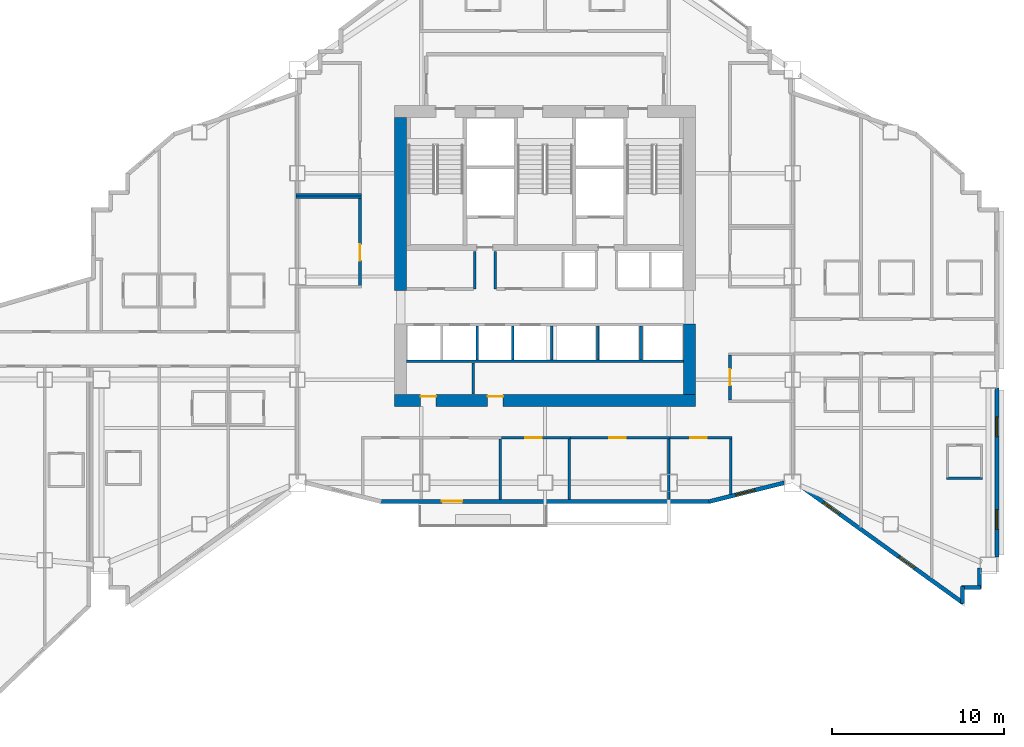
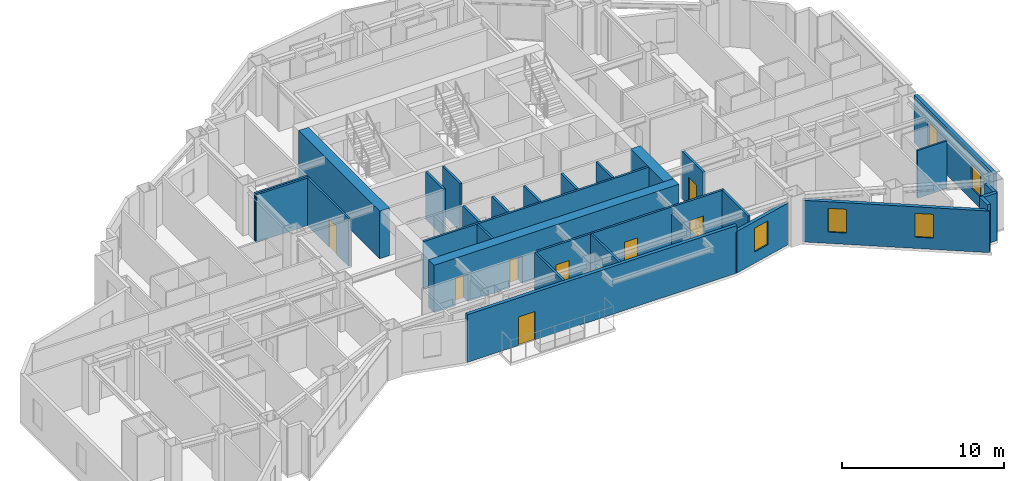
# One storey, part 8 of 16: 31 walls, 8 doors, 5 windows, 13 openings.
"""IFC4 building model written with IfcOpenShell, lengths in metres."""

from ifc_helpers import new_model, si_unit, direction, frame, frame_2d, origin, place, context, subcontext, project, spatial, rectangle, extrude, material, layer, layer_set, type_object, element, fill, save


model = new_model("IFC4")

# Units and contexts
model_context = context("Model", 3, precision=1e-05, world=origin(), true_north=direction((0.0, 1.0)))
body_context = subcontext(model_context, "Body", "Model", "MODEL_VIEW")
ifc_project = project(units=[si_unit("LENGTHUNIT", "METRE"), si_unit("AREAUNIT", "SQUARE_METRE"), si_unit("VOLUMEUNIT", "CUBIC_METRE"), si_unit("PLANEANGLEUNIT", "RADIAN"), si_unit("MASSUNIT", "GRAM", prefix="KILO")], contexts=[model_context])

# Site, building, storey
site_placement = place(None, origin())
site = spatial("IfcSite", under=ifc_project, at=site_placement, CompositionType="ELEMENT")
building_placement = place(site_placement, origin())
building = spatial("IfcBuilding", under=site, at=building_placement, Name="Haolan Belvedere Tower", CompositionType="ELEMENT")
storey_placement = place(building_placement, frame((0.0, 0.0, 125.0)))
storey = spatial("IfcBuildingStorey", under=building, at=storey_placement, Name="L31", CompositionType="ELEMENT", Elevation=125.0)

# Wall, openings, doors
ifc_material_1 = material(Name="Concrete C60/75", Category="concrete")
ifc_layer_1 = layer(ifc_material_1, 0.699951171875, Name="Concrete C60/75")
ifc_layer_set_1 = layer_set([ifc_layer_1], Name="Concrete C60/75")
wall_type_1 = type_object("IfcWallType", Name="WL-CORE-700", PredefinedType="SHEAR", material=ifc_layer_set_1)
wall_1_placement = place(storey_placement, frame((29.64990234375, 26.39990234375, 0.0), z_axis=(0.0, 0.0, 1.0), x_axis=(1.0, 0.0, 0.0)))
wall_1 = element("IfcWall", 1, at=wall_1_placement, inside=storey, type_object=wall_type_1, Name="L31 central core south shear wall", PredefinedType="SHEAR", context=body_context, shape_type="SweptSolid", body=[
    extrude(rectangle(XDim=17.5, YDim=0.699951171875, at=frame_2d((8.75, 0.0))), origin(), (0.0, 0.0, 1.0), 3.60009765625),
])
opening_1_placement = place(wall_1_placement, frame((2.419921875, 0.0, 0.0), z_axis=(0.0, 0.0, 1.0), x_axis=(-1.0, 0.0, 0.0)))
opening_1 = element("IfcOpeningElement", 2, at=opening_1_placement, cuts=wall_1, Name="Opening FD-05", PredefinedType="OPENING", context=body_context, shape_type="SweptSolid", body=[
    extrude(rectangle(XDim=0.89990234375, YDim=2.10009765625, at=frame_2d((0.449951171875, 1.050048828125))), frame((0.0, 0.35986328125, 0.0), z_axis=(0.0, -1.0, 0.0), x_axis=(1.0, 0.0, 0.0)), (0.0, 0.0, 1.0), 0.719970703125),
])
opening_2_placement = place(wall_1_placement, frame((6.309814453125, 0.0, 0.0), z_axis=(0.0, 0.0, 1.0), x_axis=(-1.0, 0.0, 0.0)))
opening_2 = element("IfcOpeningElement", 3, at=opening_2_placement, cuts=wall_1, Name="Opening FD-05", PredefinedType="OPENING", context=body_context, shape_type="SweptSolid", body=[
    extrude(rectangle(XDim=0.89990234375, YDim=2.10009765625, at=frame_2d((0.449951171875, 1.050048828125))), frame((0.0, 0.35986328125, 0.0), z_axis=(0.0, -1.0, 0.0), x_axis=(1.0, 0.0, 0.0)), (0.0, 0.0, 1.0), 0.719970703125),
])
ifc_material_2 = material(Name="Galvanised fire-rated steel", Category="steel")
door_type_1 = type_object("IfcDoorType", Name="DR-FD60-900", OperationType="NOTDEFINED", PredefinedType="DOOR", material=ifc_material_2)
door_1_placement = place(opening_1_placement, origin())
door_1 = element("IfcDoor", 4, at=door_1_placement, inside=storey, type_object=door_type_1, Name="L31 door CD-L31-SCV-1", OperationType="SINGLE_SWING_LEFT", OverallHeight=2.10009765625, OverallWidth=0.89990234375, PredefinedType="DOOR", context=body_context, shape_type="SweptSolid", body=[
    extrude(rectangle(XDim=0.89990234375, YDim=2.10009765625, at=frame_2d((0.449951171875, 1.050048828125))), frame((0.0, -0.19482421875, 0.0), z_axis=(0.0, -1.0, 0.0), x_axis=(1.0, 0.0, 0.0)), (0.0, 0.0, 1.0), 0.050048828125),
])
fill(opening_1, door_1)
door_2_placement = place(opening_2_placement, origin())
door_2 = element("IfcDoor", 5, at=door_2_placement, inside=storey, type_object=door_type_1, Name="L31 door CD-L31-SCV-2", OperationType="SINGLE_SWING_RIGHT", OverallHeight=2.10009765625, OverallWidth=0.89990234375, PredefinedType="DOOR", context=body_context, shape_type="SweptSolid", body=[
    extrude(rectangle(XDim=0.89990234375, YDim=2.10009765625, at=frame_2d((0.449951171875, 1.050048828125))), frame((0.0, -0.19482421875, 0.0), z_axis=(0.0, -1.0, 0.0), x_axis=(1.0, 0.0, 0.0)), (0.0, 0.0, 1.0), 0.050048828125),
])
fill(opening_2, door_2)

# Walls
wall_2_placement = place(storey_placement, frame((30.0, 32.800048828125, 0.0), z_axis=(0.0, 0.0, 1.0), x_axis=(0.0, 1.0, 0.0)))
element("IfcWall", 6, at=wall_2_placement, inside=storey, type_object=wall_type_1, Name="L31 central core shear wall WN", PredefinedType="SHEAR", context=body_context, shape_type="SweptSolid", body=[
    extrude(rectangle(XDim=10.050048828125, YDim=0.699951171875, at=frame_2d((5.02490234375, 0.0))), origin(), (0.0, 0.0, 1.0), 3.60009765625),
])
wall_3_placement = place(storey_placement, frame((46.800048828125, 26.75, 0.0), z_axis=(0.0, 0.0, 1.0), x_axis=(0.0, 1.0, 0.0)))
element("IfcWall", 7, at=wall_3_placement, inside=storey, type_object=wall_type_1, Name="L31 central core shear wall ES", PredefinedType="SHEAR", context=body_context, shape_type="SweptSolid", body=[
    extrude(rectangle(XDim=4.10009765625, YDim=0.699951171875, at=frame_2d((2.050048828125, 0.0))), origin(), (0.0, 0.0, 1.0), 3.60009765625),
])

# Wall, opening, door
ifc_material_3 = material(Name="Precast concrete C40/50", Category="concrete")
ifc_layer_2 = layer(ifc_material_3, 0.239990234375, Name="Precast concrete C40/50")
ifc_layer_set_2 = layer_set([ifc_layer_2], Name="Precast concrete C40/50")
wall_type_2 = type_object("IfcWallType", Name="WL-EXT-240", PredefinedType="SOLIDWALL", material=ifc_layer_set_2)
wall_4_placement = place(storey_placement, frame((28.759765625, 20.52001953125, 0.0), z_axis=(0.0, 0.0, 1.0), x_axis=(1.0, 0.0, 0.0)))
wall_4 = element("IfcWall", 8, at=wall_4_placement, inside=storey, type_object=wall_type_2, Name="L31 pale-metal exterior spandrel wall 7.1", PredefinedType="SOLIDWALL", context=body_context, shape_type="SweptSolid", body=[
    extrude(rectangle(XDim=19.280517578125, YDim=0.239990234375, at=frame_2d((9.64013671875, 0.0))), origin(), (0.0, 0.0, 1.0), 3.60009765625),
])
opening_3_placement = place(wall_4_placement, frame((4.840087890625, 0.0, 0.0), z_axis=(0.0, 0.0, 1.0), x_axis=(-1.0, 0.0, 0.0)))
opening_3 = element("IfcOpeningElement", 9, at=opening_3_placement, cuts=wall_4, Name="Opening BD-01", PredefinedType="OPENING", context=body_context, shape_type="SweptSolid", body=[
    extrude(rectangle(XDim=1.199951171875, YDim=2.14990234375, at=frame_2d((0.60009765625, 1.074951171875))), frame((0.0, 0.1298828125, 0.0), z_axis=(0.0, -1.0, 0.0), x_axis=(1.0, 0.0, 0.0)), (0.0, 0.0, 1.0), 0.260009765625),
])
ifc_material_4 = material(Name="Thermally broken pale-metal aluminium and Low-E glass", Category="aluminium")
door_type_2 = type_object("IfcDoorType", Name="DR-BAL-1200", OperationType="NOTDEFINED", PredefinedType="DOOR", material=ifc_material_4)
door_3_placement = place(opening_3_placement, origin())
door_3 = element("IfcDoor", 10, at=door_3_placement, inside=storey, type_object=door_type_2, Name="L31 tree-balcony access door 1", OperationType="SINGLE_SWING_LEFT", OverallHeight=2.14990234375, OverallWidth=1.199951171875, PredefinedType="DOOR", context=body_context, shape_type="SweptSolid", body=[
    extrude(rectangle(XDim=1.199951171875, YDim=2.14990234375, at=frame_2d((0.60009765625, 1.074951171875))), frame((0.0, 0.02490234375, 0.0), z_axis=(0.0, -1.0, 0.0), x_axis=(1.0, 0.0, 0.0)), (0.0, 0.0, 1.0), 0.050048828125),
])
fill(opening_3, door_3)

# Wall, opening, window
wall_5_placement = place(storey_placement, frame((47.931884765625, 20.506591796875, 0.0), z_axis=(0.0, 0.0, 1.0), x_axis=(0.970145683738, 0.242522890311, 0.0)))
wall_5 = element("IfcWall", 11, at=wall_5_placement, inside=storey, type_object=wall_type_2, Name="L31 pale-metal exterior spandrel wall 8.1", PredefinedType="SOLIDWALL", context=body_context, shape_type="SweptSolid", body=[
    extrude(rectangle(XDim=4.510986328125, YDim=0.239990234375, at=frame_2d((2.25537109375, 0.0))), origin(), (0.0, 0.0, 1.0), 3.14501953125),
])
opening_4_placement = place(wall_5_placement, frame((1.60009765625, 0.0, 0.85009765625)))
opening_4 = element("IfcOpeningElement", 12, at=opening_4_placement, cuts=wall_5, Name="Opening W-02", PredefinedType="OPENING", context=body_context, shape_type="SweptSolid", body=[
    extrude(rectangle(XDim=1.14990234375, YDim=1.800048828125, at=frame_2d((0.574951171875, 0.89990234375))), frame((0.0, 0.1298828125, 0.0), z_axis=(0.0, -1.0, 0.0), x_axis=(1.0, 0.0, 0.0)), (0.0, 0.0, 1.0), 0.260009765625),
])
ifc_material_5 = material(Name="Anodised aluminium 6063-T6 and Low-E glass", Category="aluminium")
window_type = type_object("IfcWindowType", Name="WN-DECO-Z2", PartitioningType="SINGLE_PANEL", PredefinedType="WINDOW", material=ifc_material_5)
window_1_placement = place(opening_4_placement, origin())
window_1 = element("IfcWindow", 13, at=window_1_placement, inside=storey, type_object=window_type, Name="L31 Art Deco chevron window 1", OverallHeight=1.800048828125, OverallWidth=1.14990234375, PartitioningType="SINGLE_PANEL", PredefinedType="WINDOW", context=body_context, shape_type="SweptSolid", body=[
    extrude(rectangle(XDim=1.14990234375, YDim=1.800048828125, at=frame_2d((0.574951171875, 0.89990234375))), frame((0.0, 0.030029296875, 0.0), z_axis=(0.0, -1.0, 0.0), x_axis=(1.0, 0.0, 0.0)), (0.0, 0.0, 1.0), 0.06005859375),
])
fill(opening_4, window_1)

# Wall, openings, windows
wall_6_placement = place(storey_placement, frame((53.2919921875, 21.3935546875, 0.0), z_axis=(0.0, 0.0, 1.0), x_axis=(0.811543504691, -0.584291998913, 0.0)))
wall_6 = element("IfcWall", 14, at=wall_6_placement, inside=storey, type_object=wall_type_2, Name="L31 pale-metal exterior spandrel wall 9.1", PredefinedType="SOLIDWALL", context=body_context, shape_type="SweptSolid", body=[
    extrude(rectangle(XDim=11.623046875, YDim=0.239990234375, at=frame_2d((5.8115234375, 0.0))), origin(), (0.0, 0.0, 1.0), 3.14501953125),
])
opening_5_placement = place(wall_6_placement, frame((1.60009765625, 0.0, 0.85009765625)))
opening_5 = element("IfcOpeningElement", 15, at=opening_5_placement, cuts=wall_6, Name="Opening W-02", PredefinedType="OPENING", context=body_context, shape_type="SweptSolid", body=[
    extrude(rectangle(XDim=1.14990234375, YDim=1.800048828125, at=frame_2d((0.574951171875, 0.89990234375))), frame((0.0, 0.1298828125, 0.0), z_axis=(0.0, -1.0, 0.0), x_axis=(1.0, 0.0, 0.0)), (0.0, 0.0, 1.0), 0.260009765625),
])
opening_6_placement = place(wall_6_placement, frame((7.0, 0.0, 0.85009765625)))
opening_6 = element("IfcOpeningElement", 16, at=opening_6_placement, cuts=wall_6, Name="Opening W-02", PredefinedType="OPENING", context=body_context, shape_type="SweptSolid", body=[
    extrude(rectangle(XDim=1.14990234375, YDim=1.800048828125, at=frame_2d((0.574951171875, 0.89990234375))), frame((0.0, 0.1298828125, 0.0), z_axis=(0.0, -1.0, 0.0), x_axis=(1.0, 0.0, 0.0)), (0.0, 0.0, 1.0), 0.260009765625),
])
window_2_placement = place(opening_5_placement, origin())
window_2 = element("IfcWindow", 17, at=window_2_placement, inside=storey, type_object=window_type, Name="L31 Art Deco chevron window 1", OverallHeight=1.800048828125, OverallWidth=1.14990234375, PartitioningType="SINGLE_PANEL", PredefinedType="WINDOW", context=body_context, shape_type="SweptSolid", body=[
    extrude(rectangle(XDim=1.14990234375, YDim=1.800048828125, at=frame_2d((0.574951171875, 0.89990234375))), frame((0.0, 0.030029296875, 0.0), z_axis=(0.0, -1.0, 0.0), x_axis=(1.0, 0.0, 0.0)), (0.0, 0.0, 1.0), 0.06005859375),
])
fill(opening_5, window_2)
window_3_placement = place(opening_6_placement, origin())
window_3 = element("IfcWindow", 18, at=window_3_placement, inside=storey, type_object=window_type, Name="L31 Art Deco chevron window 2", OverallHeight=1.800048828125, OverallWidth=1.14990234375, PartitioningType="SINGLE_PANEL", PredefinedType="WINDOW", context=body_context, shape_type="SweptSolid", body=[
    extrude(rectangle(XDim=1.14990234375, YDim=1.800048828125, at=frame_2d((0.574951171875, 0.89990234375))), frame((0.0, 0.030029296875, 0.0), z_axis=(0.0, -1.0, 0.0), x_axis=(1.0, 0.0, 0.0)), (0.0, 0.0, 1.0), 0.06005859375),
])
fill(opening_6, window_3)

# Walls
wall_7_placement = place(storey_placement, frame((62.679931640625, 14.579345703125, 0.0), z_axis=(0.0, 0.0, 1.0), x_axis=(0.0, 1.0, 0.0)))
element("IfcWall", 19, at=wall_7_placement, inside=storey, type_object=wall_type_2, Name="L31 pale-metal exterior spandrel wall 10.1", PredefinedType="SOLIDWALL", context=body_context, shape_type="SweptSolid", body=[
    extrude(rectangle(XDim=0.99560546875, YDim=0.239990234375, at=frame_2d((0.497802734375, 0.0))), origin(), (0.0, 0.0, 1.0), 3.60009765625),
])
wall_8_placement = place(storey_placement, frame((62.625, 15.52001953125, 0.0), z_axis=(0.0, 0.0, 1.0), x_axis=(1.0, 0.0, 0.0)))
element("IfcWall", 20, at=wall_8_placement, inside=storey, type_object=wall_type_2, Name="L31 pale-metal exterior spandrel wall 11.1", PredefinedType="SOLIDWALL", context=body_context, shape_type="SweptSolid", body=[
    extrude(rectangle(XDim=1.110107421875, YDim=0.239990234375, at=frame_2d((0.55517578125, 0.0))), origin(), (0.0, 0.0, 1.0), 3.60009765625),
])
wall_9_placement = place(storey_placement, frame((63.679931640625, 15.465087890625, 0.0), z_axis=(0.0, 0.0, 1.0), x_axis=(0.0, 1.0, 0.0)))
element("IfcWall", 21, at=wall_9_placement, inside=storey, type_object=wall_type_2, Name="L31 pale-metal exterior spandrel wall 12.1", PredefinedType="SOLIDWALL", context=body_context, shape_type="SweptSolid", body=[
    extrude(rectangle(XDim=1.1748046875, YDim=0.239990234375, at=frame_2d((0.58740234375, 0.0))), origin(), (0.0, 0.0, 1.0), 3.60009765625),
])

# Wall, openings, windows
wall_10_placement = place(storey_placement, frame((64.679931640625, 17.2919921875, 0.0), z_axis=(0.0, 0.0, 1.0), x_axis=(0.0, 1.0, 0.0)))
wall_10 = element("IfcWall", 22, at=wall_10_placement, inside=storey, type_object=wall_type_2, Name="L31 pale-metal exterior spandrel wall 14.1", PredefinedType="SOLIDWALL", context=body_context, shape_type="SweptSolid", body=[
    extrude(rectangle(XDim=9.81591796875, YDim=0.239990234375, at=frame_2d((4.907958984375, 0.0))), origin(), (0.0, 0.0, 1.0), 3.60009765625),
])
opening_7_placement = place(wall_10_placement, frame((1.60009765625, 0.0, 0.85009765625)))
opening_7 = element("IfcOpeningElement", 23, at=opening_7_placement, cuts=wall_10, Name="Opening W-02", PredefinedType="OPENING", context=body_context, shape_type="SweptSolid", body=[
    extrude(rectangle(XDim=1.14990234375, YDim=1.800048828125, at=frame_2d((0.574951171875, 0.89990234375))), frame((0.0, 0.1298828125, 0.0), z_axis=(0.0, -1.0, 0.0), x_axis=(1.0, 0.0, 0.0)), (0.0, 0.0, 1.0), 0.260009765625),
])
opening_8_placement = place(wall_10_placement, frame((7.0, 0.0, 0.85009765625)))
opening_8 = element("IfcOpeningElement", 24, at=opening_8_placement, cuts=wall_10, Name="Opening W-02", PredefinedType="OPENING", context=body_context, shape_type="SweptSolid", body=[
    extrude(rectangle(XDim=1.14990234375, YDim=1.800048828125, at=frame_2d((0.574951171875, 0.89990234375))), frame((0.0, 0.1298828125, 0.0), z_axis=(0.0, -1.0, 0.0), x_axis=(1.0, 0.0, 0.0)), (0.0, 0.0, 1.0), 0.260009765625),
])
window_4_placement = place(opening_7_placement, origin())
window_4 = element("IfcWindow", 25, at=window_4_placement, inside=storey, type_object=window_type, Name="L31 Art Deco chevron window 1", OverallHeight=1.800048828125, OverallWidth=1.14990234375, PartitioningType="SINGLE_PANEL", PredefinedType="WINDOW", context=body_context, shape_type="SweptSolid", body=[
    extrude(rectangle(XDim=1.14990234375, YDim=1.800048828125, at=frame_2d((0.574951171875, 0.89990234375))), frame((0.0, 0.030029296875, 0.0), z_axis=(0.0, -1.0, 0.0), x_axis=(1.0, 0.0, 0.0)), (0.0, 0.0, 1.0), 0.06005859375),
])
fill(opening_7, window_4)
window_5_placement = place(opening_8_placement, origin())
window_5 = element("IfcWindow", 26, at=window_5_placement, inside=storey, type_object=window_type, Name="L31 Art Deco chevron window 2", OverallHeight=1.800048828125, OverallWidth=1.14990234375, PartitioningType="SINGLE_PANEL", PredefinedType="WINDOW", context=body_context, shape_type="SweptSolid", body=[
    extrude(rectangle(XDim=1.14990234375, YDim=1.800048828125, at=frame_2d((0.574951171875, 0.89990234375))), frame((0.0, 0.030029296875, 0.0), z_axis=(0.0, -1.0, 0.0), x_axis=(1.0, 0.0, 0.0)), (0.0, 0.0, 1.0), 0.06005859375),
])
fill(opening_8, window_5)

# Walls
ifc_material_6 = material(Name="Double gypsum acoustic stud partition", Category="masonry")
ifc_layer_3 = layer(ifc_material_6, 0.14990234375, Name="Double gypsum acoustic stud partition")
ifc_layer_set_3 = layer_set([ifc_layer_3], Name="Double gypsum acoustic stud partition")
wall_type_3 = type_object("IfcWallType", Name="WL-PART-150", PredefinedType="PARTITIONING", material=ifc_layer_set_3)
wall_11_placement = place(storey_placement, frame((30.35009765625, 28.659912109375, 0.0), z_axis=(0.0, 0.0, 1.0), x_axis=(1.0, 0.0, 0.0)))
element("IfcWall", 27, at=wall_11_placement, inside=storey, type_object=wall_type_3, Name="L31 interior partition IW-L31-SSTRIP-N", PredefinedType="PARTITIONING", context=body_context, shape_type="SweptSolid", body=[
    extrude(rectangle(XDim=16.099853515625, YDim=0.14990234375, at=frame_2d((8.0498046875, 0.0))), origin(), (0.0, 0.0, 1.0), 3.60009765625),
])
wall_12_placement = place(storey_placement, frame((34.22998046875, 26.760009765625, 0.0), z_axis=(0.0, 0.0, 1.0), x_axis=(0.0, 1.0, 0.0)))
element("IfcWall", 28, at=wall_12_placement, inside=storey, type_object=wall_type_3, Name="L31 interior partition IW-L31-SCV-DIV-1", PredefinedType="PARTITIONING", context=body_context, shape_type="SweptSolid", body=[
    extrude(rectangle(XDim=1.820068359375, YDim=0.14990234375, at=frame_2d((0.91015625, 0.0))), origin(), (0.0, 0.0, 1.0), 3.60009765625),
])
wall_13_placement = place(storey_placement, frame((23.919921875, 38.199951171875, 0.0), z_axis=(0.0, 0.0, 1.0), x_axis=(1.0, 0.0, 0.0)))
element("IfcWall", 29, at=wall_13_placement, inside=storey, type_object=wall_type_3, Name="L31 interior partition IW-L31-HSK-N", PredefinedType="PARTITIONING", context=body_context, shape_type="SweptSolid", body=[
    extrude(rectangle(XDim=3.800048828125, YDim=0.14990234375, at=frame_2d((1.89990234375, 0.0))), origin(), (0.0, 0.0, 1.0), 3.60009765625),
])

# Wall, opening, door
wall_14_placement = place(storey_placement, frame((27.639892578125, 33.06005859375, 0.0), z_axis=(0.0, 0.0, 1.0), x_axis=(0.0, 1.0, 0.0)))
wall_14 = element("IfcWall", 30, at=wall_14_placement, inside=storey, type_object=wall_type_3, Name="L31 interior partition IW-L31-HSK-E", PredefinedType="PARTITIONING", context=body_context, shape_type="SweptSolid", body=[
    extrude(rectangle(XDim=5.079833984375, YDim=0.14990234375, at=frame_2d((2.5400390625, 0.0))), origin(), (0.0, 0.0, 1.0), 3.60009765625),
])
opening_9_placement = place(wall_14_placement, frame((2.409912109375, 0.0, 0.0), z_axis=(0.0, 0.0, 1.0), x_axis=(-1.0, 0.0, 0.0)))
opening_9 = element("IfcOpeningElement", 31, at=opening_9_placement, cuts=wall_14, Name="Opening ID-03", PredefinedType="OPENING", context=body_context, shape_type="SweptSolid", body=[
    extrude(rectangle(XDim=0.949951171875, YDim=2.1201171875, at=frame_2d((0.47509765625, 1.06005859375))), frame((0.0, 0.0849609375, 0.0), z_axis=(0.0, -1.0, 0.0), x_axis=(1.0, 0.0, 0.0)), (0.0, 0.0, 1.0), 0.169921875),
])
ifc_material_7 = material(Name="Painted solid-core timber", Category="wood")
door_type_3 = type_object("IfcDoorType", Name="DR-INT-950", OperationType="NOTDEFINED", PredefinedType="DOOR", material=ifc_material_7)
door_4_placement = place(opening_9_placement, origin())
door_4 = element("IfcDoor", 32, at=door_4_placement, inside=storey, type_object=door_type_3, Name="L31 door ID-L31-HSK", OperationType="SINGLE_SWING_LEFT", OverallHeight=2.1201171875, OverallWidth=0.949951171875, PredefinedType="DOOR", context=body_context, shape_type="SweptSolid", body=[
    extrude(rectangle(XDim=0.949951171875, YDim=2.1201171875, at=frame_2d((0.47509765625, 1.06005859375))), frame((0.0, 0.02490234375, 0.0), z_axis=(0.0, -1.0, 0.0), x_axis=(1.0, 0.0, 0.0)), (0.0, 0.0, 1.0), 0.050048828125),
])
fill(opening_9, door_4)

# Wall
wall_15_placement = place(storey_placement, frame((23.919921875, 38.360107421875, 0.0), z_axis=(0.0, 0.0, 1.0), x_axis=(1.0, 0.0, 0.0)))
element("IfcWall", 33, at=wall_15_placement, inside=storey, type_object=wall_type_3, Name="L31 interior partition IW-L31-VLT-S", PredefinedType="PARTITIONING", context=body_context, shape_type="SweptSolid", body=[
    extrude(rectangle(XDim=3.800048828125, YDim=0.14990234375, at=frame_2d((1.89990234375, 0.0))), origin(), (0.0, 0.0, 1.0), 3.60009765625),
])

# Wall, opening, door
wall_16_placement = place(storey_placement, frame((49.159912109375, 26.409912109375, 0.0), z_axis=(0.0, 0.0, 1.0), x_axis=(0.0, 1.0, 0.0)))
wall_16 = element("IfcWall", 34, at=wall_16_placement, inside=storey, type_object=wall_type_3, Name="L31 interior partition IW-L31-PKTE-W", PredefinedType="PARTITIONING", context=body_context, shape_type="SweptSolid", body=[
    extrude(rectangle(XDim=2.610107421875, YDim=0.14990234375, at=frame_2d((1.30517578125, 0.0))), origin(), (0.0, 0.0, 1.0), 3.60009765625),
])
opening_10_placement = place(wall_16_placement, frame((0.860107421875, 0.0, 0.0)))
opening_10 = element("IfcOpeningElement", 35, at=opening_10_placement, cuts=wall_16, Name="Opening ID-03", PredefinedType="OPENING", context=body_context, shape_type="SweptSolid", body=[
    extrude(rectangle(XDim=0.949951171875, YDim=2.1201171875, at=frame_2d((0.47509765625, 1.06005859375))), frame((0.0, 0.0849609375, 0.0), z_axis=(0.0, -1.0, 0.0), x_axis=(1.0, 0.0, 0.0)), (0.0, 0.0, 1.0), 0.169921875),
])
door_5_placement = place(opening_10_placement, origin())
door_5 = element("IfcDoor", 36, at=door_5_placement, inside=storey, type_object=door_type_3, Name="L31 door ID-L31-PKTE", OperationType="SINGLE_SWING_RIGHT", OverallHeight=2.1201171875, OverallWidth=0.949951171875, PredefinedType="DOOR", context=body_context, shape_type="SweptSolid", body=[
    extrude(rectangle(XDim=0.949951171875, YDim=2.1201171875, at=frame_2d((0.47509765625, 1.06005859375))), frame((0.0, 0.02490234375, 0.0), z_axis=(0.0, -1.0, 0.0), x_axis=(1.0, 0.0, 0.0)), (0.0, 0.0, 1.0), 0.050048828125),
])
fill(opening_10, door_5)

# Wall
wall_17_placement = place(storey_placement, frame((35.800048828125, 20.625, 0.0), z_axis=(0.0, 0.0, 1.0), x_axis=(0.0, 1.0, 0.0)))
element("IfcWall", 37, at=wall_17_placement, inside=storey, type_object=wall_type_3, Name="L31 interior partition IW-L31-KS3-E", PredefinedType="PARTITIONING", context=body_context, shape_type="SweptSolid", body=[
    extrude(rectangle(XDim=3.534912109375, YDim=0.14990234375, at=frame_2d((1.767578125, 0.0))), origin(), (0.0, 0.0, 1.0), 3.60009765625),
])

# Wall, opening, door
wall_18_placement = place(storey_placement, frame((35.882080078125, 24.219970703125, 0.0), z_axis=(0.0, 0.0, 1.0), x_axis=(1.0, 0.0, 0.0)))
wall_18 = element("IfcWall", 38, at=wall_18_placement, inside=storey, type_object=wall_type_3, Name="L31 interior partition IW-L31-KS4-N", PredefinedType="PARTITIONING", context=body_context, shape_type="SweptSolid", body=[
    extrude(rectangle(XDim=3.997802734375, YDim=0.14990234375, at=frame_2d((1.9990234375, 0.0))), origin(), (0.0, 0.0, 1.0), 3.60009765625),
])
opening_11_placement = place(wall_18_placement, frame((2.31298828125, 0.0, 0.0), z_axis=(0.0, 0.0, 1.0), x_axis=(-1.0, 0.0, 0.0)))
opening_11 = element("IfcOpeningElement", 39, at=opening_11_placement, cuts=wall_18, Name="Opening ID-03", PredefinedType="OPENING", context=body_context, shape_type="SweptSolid", body=[
    extrude(rectangle(XDim=0.949951171875, YDim=2.1201171875, at=frame_2d((0.47509765625, 1.06005859375))), frame((0.0, 0.0849609375, 0.0), z_axis=(0.0, -1.0, 0.0), x_axis=(1.0, 0.0, 0.0)), (0.0, 0.0, 1.0), 0.169921875),
])
door_6_placement = place(opening_11_placement, origin())
door_6 = element("IfcDoor", 40, at=door_6_placement, inside=storey, type_object=door_type_3, Name="L31 door ID-L31-KS4", OperationType="SINGLE_SWING_RIGHT", OverallHeight=2.1201171875, OverallWidth=0.949951171875, PredefinedType="DOOR", context=body_context, shape_type="SweptSolid", body=[
    extrude(rectangle(XDim=0.949951171875, YDim=2.1201171875, at=frame_2d((0.47509765625, 1.06005859375))), frame((0.0, 0.02490234375, 0.0), z_axis=(0.0, -1.0, 0.0), x_axis=(1.0, 0.0, 0.0)), (0.0, 0.0, 1.0), 0.050048828125),
])
fill(opening_11, door_6)

# Wall
wall_19_placement = place(storey_placement, frame((39.800048828125, 20.625, 0.0), z_axis=(0.0, 0.0, 1.0), x_axis=(0.0, 1.0, 0.0)))
element("IfcWall", 41, at=wall_19_placement, inside=storey, type_object=wall_type_3, Name="L31 interior partition IW-L31-KS4-E", PredefinedType="PARTITIONING", context=body_context, shape_type="SweptSolid", body=[
    extrude(rectangle(XDim=3.534912109375, YDim=0.14990234375, at=frame_2d((1.767578125, 0.0))), origin(), (0.0, 0.0, 1.0), 3.60009765625),
])

# Wall, opening, door
wall_20_placement = place(storey_placement, frame((39.882080078125, 24.219970703125, 0.0), z_axis=(0.0, 0.0, 1.0), x_axis=(1.0, 0.0, 0.0)))
wall_20 = element("IfcWall", 42, at=wall_20_placement, inside=storey, type_object=wall_type_3, Name="L31 interior partition IW-L31-KS5-N", PredefinedType="PARTITIONING", context=body_context, shape_type="SweptSolid", body=[
    extrude(rectangle(XDim=5.7978515625, YDim=0.14990234375, at=frame_2d((2.89892578125, 0.0))), origin(), (0.0, 0.0, 1.0), 3.60009765625),
])
opening_12_placement = place(wall_20_placement, frame((3.212890625, 0.0, 0.0), z_axis=(0.0, 0.0, 1.0), x_axis=(-1.0, 0.0, 0.0)))
opening_12 = element("IfcOpeningElement", 43, at=opening_12_placement, cuts=wall_20, Name="Opening ID-03", PredefinedType="OPENING", context=body_context, shape_type="SweptSolid", body=[
    extrude(rectangle(XDim=0.949951171875, YDim=2.1201171875, at=frame_2d((0.47509765625, 1.06005859375))), frame((0.0, 0.0849609375, 0.0), z_axis=(0.0, -1.0, 0.0), x_axis=(1.0, 0.0, 0.0)), (0.0, 0.0, 1.0), 0.169921875),
])
door_7_placement = place(opening_12_placement, origin())
door_7 = element("IfcDoor", 44, at=door_7_placement, inside=storey, type_object=door_type_3, Name="L31 door ID-L31-KS5", OperationType="SINGLE_SWING_LEFT", OverallHeight=2.1201171875, OverallWidth=0.949951171875, PredefinedType="DOOR", context=body_context, shape_type="SweptSolid", body=[
    extrude(rectangle(XDim=0.949951171875, YDim=2.1201171875, at=frame_2d((0.47509765625, 1.06005859375))), frame((0.0, 0.02490234375, 0.0), z_axis=(0.0, -1.0, 0.0), x_axis=(1.0, 0.0, 0.0)), (0.0, 0.0, 1.0), 0.050048828125),
])
fill(opening_12, door_7)

# Wall
wall_21_placement = place(storey_placement, frame((45.60009765625, 20.625, 0.0), z_axis=(0.0, 0.0, 1.0), x_axis=(0.0, 1.0, 0.0)))
element("IfcWall", 45, at=wall_21_placement, inside=storey, type_object=wall_type_3, Name="L31 interior partition IW-L31-KS5-E", PredefinedType="PARTITIONING", context=body_context, shape_type="SweptSolid", body=[
    extrude(rectangle(XDim=3.534912109375, YDim=0.14990234375, at=frame_2d((1.767578125, 0.0))), origin(), (0.0, 0.0, 1.0), 3.0849609375),
])

# Wall, opening, door
wall_22_placement = place(storey_placement, frame((45.681884765625, 24.219970703125, 0.0), z_axis=(0.0, 0.0, 1.0), x_axis=(1.0, 0.0, 0.0)))
wall_22 = element("IfcWall", 46, at=wall_22_placement, inside=storey, type_object=wall_type_3, Name="L31 interior partition IW-L31-KS6-N", PredefinedType="PARTITIONING", context=body_context, shape_type="SweptSolid", body=[
    extrude(rectangle(XDim=3.59814453125, YDim=0.14990234375, at=frame_2d((1.799072265625, 0.0))), origin(), (0.0, 0.0, 1.0), 3.60009765625),
])
opening_13_placement = place(wall_22_placement, frame((2.113037109375, 0.0, 0.0), z_axis=(0.0, 0.0, 1.0), x_axis=(-1.0, 0.0, 0.0)))
opening_13 = element("IfcOpeningElement", 47, at=opening_13_placement, cuts=wall_22, Name="Opening ID-03", PredefinedType="OPENING", context=body_context, shape_type="SweptSolid", body=[
    extrude(rectangle(XDim=0.949951171875, YDim=2.1201171875, at=frame_2d((0.47509765625, 1.06005859375))), frame((0.0, 0.0849609375, 0.0), z_axis=(0.0, -1.0, 0.0), x_axis=(1.0, 0.0, 0.0)), (0.0, 0.0, 1.0), 0.169921875),
])
door_8_placement = place(opening_13_placement, origin())
door_8 = element("IfcDoor", 48, at=door_8_placement, inside=storey, type_object=door_type_3, Name="L31 door ID-L31-KS6", OperationType="SINGLE_SWING_RIGHT", OverallHeight=2.1201171875, OverallWidth=0.949951171875, PredefinedType="DOOR", context=body_context, shape_type="SweptSolid", body=[
    extrude(rectangle(XDim=0.949951171875, YDim=2.1201171875, at=frame_2d((0.47509765625, 1.06005859375))), frame((0.0, 0.02490234375, 0.0), z_axis=(0.0, -1.0, 0.0), x_axis=(1.0, 0.0, 0.0)), (0.0, 0.0, 1.0), 0.050048828125),
])
fill(opening_13, door_8)

# Walls
wall_23_placement = place(storey_placement, frame((49.199951171875, 20.931884765625, 0.0), z_axis=(0.0, 0.0, 1.0), x_axis=(0.0, 1.0, 0.0)))
element("IfcWall", 49, at=wall_23_placement, inside=storey, type_object=wall_type_3, Name="L31 interior partition IW-L31-KS6-E", PredefinedType="PARTITIONING", context=body_context, shape_type="SweptSolid", body=[
    extrude(rectangle(XDim=3.22802734375, YDim=0.14990234375, at=frame_2d((1.614013671875, 0.0))), origin(), (0.0, 0.0, 1.0), 3.60009765625),
])
ifc_material_8 = material(Name="Gypsum fire shaftwall assembly", Category="masonry")
ifc_layer_4 = layer(ifc_material_8, 0.1650390625, Name="Gypsum fire shaftwall assembly")
ifc_layer_set_4 = layer_set([ifc_layer_4], Name="Gypsum fire shaftwall assembly")
wall_type_4 = type_object("IfcWallType", Name="WL-SHAFT-160", PredefinedType="SOLIDWALL", material=ifc_layer_set_4)
for number, where, z_axis, x_axis, name in (
    (50, (34.31005859375, 32.8798828125, 0.0), (0.0, 0.0, 1.0), (0.0, 1.0, 0.0), "L31 interior partition IW-L31-SVP-W-SV1"),
    (51, (35.510009765625, 32.8798828125, 0.0), (0.0, 0.0, 1.0), (0.0, 1.0, 0.0), "L31 interior partition IW-L31-SVP-E-SV1"),
):
    element("IfcWall", number, at=place(storey_placement, frame(where, z_axis=z_axis, x_axis=x_axis)), inside=storey, type_object=wall_type_4, Name=name, PredefinedType="SOLIDWALL", context=body_context, shape_type="SweptSolid", body=[
        extrude(rectangle(XDim=2.170166015625, YDim=0.14990234375, at=frame_2d((1.0849609375, 0.0))), origin(), (0.0, 0.0, 1.0), 3.60009765625),
    ])
for number, where, z_axis, x_axis, name in (
    (52, (34.4599609375, 28.735107421875, 0.0), (0.0, 0.0, 1.0), (0.0, 1.0, 0.0), "L31 interior partition IW-L31-DIV-PM2"),
    (53, (36.52001953125, 28.735107421875, 0.0), (0.0, 0.0, 1.0), (0.0, 1.0, 0.0), "L31 interior partition IW-L31-DIV-PM3"),
    (54, (38.800048828125, 28.735107421875, 0.0), (0.0, 0.0, 1.0), (0.0, 1.0, 0.0), "L31 interior partition IW-L31-DIV-PM4"),
):
    element("IfcWall", number, at=place(storey_placement, frame(where, z_axis=z_axis, x_axis=x_axis)), inside=storey, type_object=wall_type_4, Name=name, PredefinedType="SOLIDWALL", context=body_context, shape_type="SweptSolid", body=[
        extrude(rectangle(XDim=1.98486328125, YDim=0.14990234375, at=frame_2d((0.992431640625, 0.0))), origin(), (0.0, 0.0, 1.0), 3.60009765625),
    ])
for number, where, z_axis, x_axis, name in (
    (55, (41.469970703125, 28.75, 0.0), (0.0, 0.0, 1.0), (0.0, 1.0, 0.0), "L31 interior partition IW-L31-DIV-OB1"),
    (56, (43.97998046875, 28.75, 0.0), (0.0, 0.0, 1.0), (0.0, 1.0, 0.0), "L31 interior partition IW-L31-DIV-OB2"),
):
    element("IfcWall", number, at=place(storey_placement, frame(where, z_axis=z_axis, x_axis=x_axis)), inside=storey, type_object=wall_type_4, Name=name, PredefinedType="SOLIDWALL", context=body_context, shape_type="SweptSolid", body=[
        extrude(rectangle(XDim=1.985107421875, YDim=0.14990234375, at=frame_2d((0.99267578125, 0.0))), origin(), (0.0, 0.0, 1.0), 3.60009765625),
    ])
ifc_material_9 = material(Name="Moisture-resistant gypsum tile partition", Category="masonry")
ifc_layer_5 = layer(ifc_material_9, 0.1201171875, Name="Moisture-resistant gypsum tile partition")
ifc_layer_set_5 = layer_set([ifc_layer_5], Name="Moisture-resistant gypsum tile partition")
wall_type_5 = type_object("IfcWallType", Name="WL-WET-120", PredefinedType="PARTITIONING", material=ifc_layer_set_5)
wall_24_placement = place(storey_placement, frame((61.737060546875, 21.864990234375, 0.0), z_axis=(0.0, 0.0, 1.0), x_axis=(1.0, 0.0, 0.0)))
element("IfcWall", 57, at=wall_24_placement, inside=storey, type_object=wall_type_5, Name="L31 interior partition IW-L31-T4S3-BS", PredefinedType="PARTITIONING", context=body_context, shape_type="SweptSolid", body=[
    extrude(rectangle(XDim=2.099853515625, YDim=0.1201171875, at=frame_2d((1.0498046875, 0.0))), origin(), (0.0, 0.0, 1.0), 3.60009765625),
])

save(model, "model.ifc")
